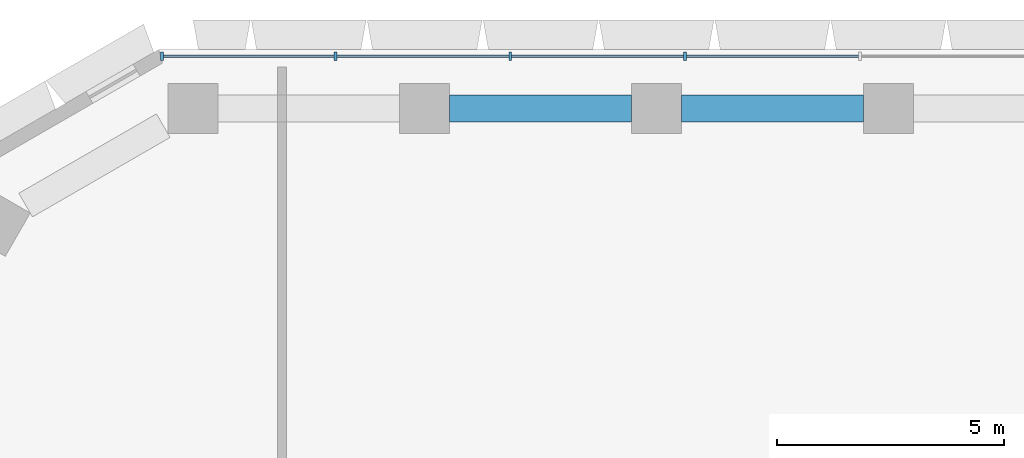
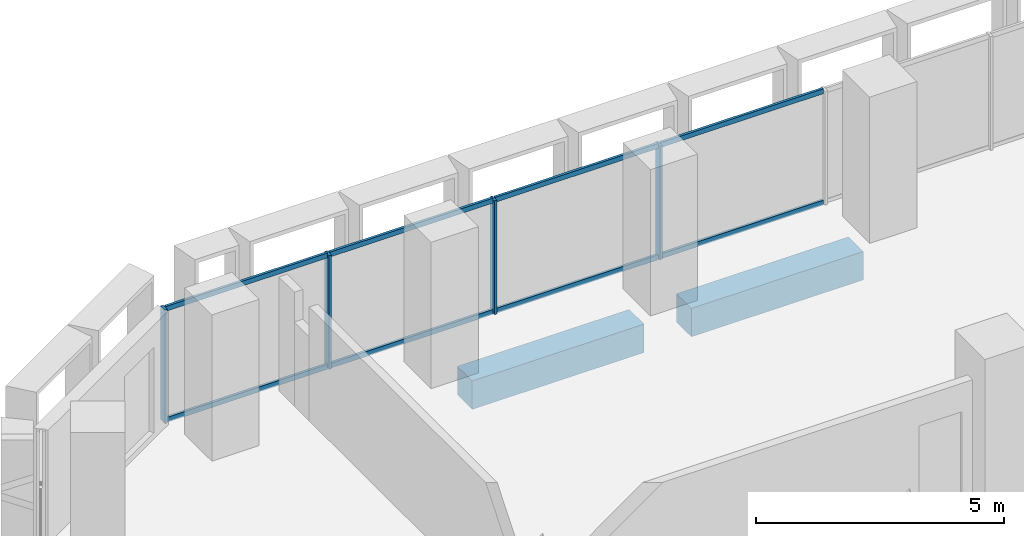
# One storey, part 7 of 21: 12 members, 2 beams, 1 element without a shape of its own.
"""IFC4 building model written with IfcOpenShell, lengths in metres."""

from ifc_helpers import new_model, si_unit, direction, frame, origin, origin_2d, place, context, subcontext, project, spatial, rectangle, hollow_rectangle, extrude, material, material_profile, profile_set, type_object, element, aggregate, save


model = new_model("IFC4")

# Units and contexts
model_context = context("Model", 3, precision=1e-05, world=origin(), true_north=direction((0.0, 1.0)))
body_context = subcontext(model_context, "Body", "Model", "MODEL_VIEW")
ifc_project = project(units=[si_unit("LENGTHUNIT", "METRE"), si_unit("AREAUNIT", "SQUARE_METRE"), si_unit("VOLUMEUNIT", "CUBIC_METRE"), si_unit("PLANEANGLEUNIT", "RADIAN"), si_unit("MASSUNIT", "GRAM", prefix="KILO")], contexts=[model_context])

# Site, building, storey
site_placement = place(None, origin())
site = spatial("IfcSite", under=ifc_project, at=site_placement, CompositionType="ELEMENT")
building_placement = place(site_placement, origin())
building = spatial("IfcBuilding", under=site, at=building_placement, Name="Beryl Residences", CompositionType="ELEMENT")
storey_placement = place(building_placement, frame((0.0, 0.0, 19.800048828125)))
storey = spatial("IfcBuildingStorey", under=building, at=storey_placement, Name="L05", CompositionType="ELEMENT", Elevation=19.800048828125)

# Curtain wall, members
ifc_material_1 = material(Name="Aluminium and clear glass", Category="aluminium")
curtain_wall_type = type_object("IfcCurtainWallType", Name="CW2 amenity glazing glazed wall", PredefinedType="NOTDEFINED", material=ifc_material_1)
curtain_wall_placement = place(storey_placement, origin())
curtain_wall = element("IfcCurtainWall", 1, at=curtain_wall_placement, inside=storey, type_object=curtain_wall_type, Name="CW2 L05 N", PredefinedType="NOTDEFINED")
ifc_material_2 = material(Name="Aluminium", Category="aluminium")
ifc_material_profile_1 = material_profile(ifc_material_2, rectangle(XDim=0.06005859375, YDim=0.179931640625, at=origin_2d()))
ifc_profile_set_1 = profile_set([ifc_material_profile_1], Name="Aluminium")
member_type_1 = type_object("IfcMemberType", Name="CW2-M mullion 60 x 180 mm", PredefinedType="MULLION", material=ifc_profile_set_1)
member_1_placement = place(storey_placement, frame((-1.92431640625, 28.25, 0.0), z_axis=(0.0, 0.0, 1.0), x_axis=(-1.0, 0.0, 0.0)))
member_1 = element("IfcMember", 2, at=member_1_placement, type_object=member_type_1, Name="CW2 mullion 5", PredefinedType="MULLION", context=body_context, shape_type="SweptSolid", body=[
    extrude(rectangle(XDim=0.06005859375, YDim=0.179931640625, at=origin_2d()), origin(), (0.0, 0.0, 1.0), 2.800048828125),
])
member_2_placement = place(storey_placement, frame((-5.77294921875, 28.25, 0.0), z_axis=(0.0, 0.0, 1.0), x_axis=(-1.0, 0.0, 0.0)))
member_2 = element("IfcMember", 3, at=member_2_placement, type_object=member_type_1, Name="CW2 mullion 6", PredefinedType="MULLION", context=body_context, shape_type="SweptSolid", body=[
    extrude(rectangle(XDim=0.06005859375, YDim=0.179931640625, at=origin_2d()), origin(), (0.0, 0.0, 1.0), 2.800048828125),
])
member_3_placement = place(storey_placement, frame((-9.621337890625, 28.25, 0.0), z_axis=(0.0, 0.0, 1.0), x_axis=(-1.0, 0.0, 0.0)))
member_3 = element("IfcMember", 4, at=member_3_placement, type_object=member_type_1, Name="CW2 mullion 7", PredefinedType="MULLION", context=body_context, shape_type="SweptSolid", body=[
    extrude(rectangle(XDim=0.06005859375, YDim=0.179931640625, at=origin_2d()), origin(), (0.0, 0.0, 1.0), 2.800048828125),
])
member_4_placement = place(storey_placement, frame((-13.43994140625, 28.25, 0.0), z_axis=(0.0, 0.0, 1.0), x_axis=(-1.0, 0.0, 0.0)))
member_4 = element("IfcMember", 5, at=member_4_placement, type_object=member_type_1, Name="CW2 mullion 8", PredefinedType="MULLION", context=body_context, shape_type="SweptSolid", body=[
    extrude(rectangle(XDim=0.06005859375, YDim=0.179931640625, at=origin_2d()), origin(), (0.0, 0.0, 1.0), 2.800048828125),
])
ifc_material_3 = material(Name="Aluminium", Category="aluminium")
ifc_material_profile_2 = material_profile(ifc_material_3, hollow_rectangle(XDim=0.06005859375, YDim=0.1201171875, WallThickness=0.00390625, at=origin_2d()))
ifc_profile_set_2 = profile_set([ifc_material_profile_2], Name="Aluminium")
member_type_2 = type_object("IfcMemberType", Name="CW2-T transom 60 x 120 mm", PredefinedType="USERDEFINED", material=ifc_profile_set_2)
member_5_placement = place(storey_placement, frame((1.894287109375, 28.25, 0.030029296875), z_axis=(-1.0, 0.0, 0.0), x_axis=(0.0, -1.0, 0.0)))
member_5 = element("IfcMember", 6, at=member_5_placement, type_object=member_type_2, Name="CW2 transom 4.1", ObjectType="TRANSOM", PredefinedType="USERDEFINED", context=body_context, shape_type="SweptSolid", body=[
    extrude(hollow_rectangle(XDim=0.06005859375, YDim=0.1201171875, WallThickness=0.00390625, at=origin_2d()), origin(), (0.0, 0.0, 1.0), 3.78857421875),
])
member_6_placement = place(storey_placement, frame((1.894287109375, 28.25, 2.77001953125), z_axis=(-1.0, 0.0, 0.0), x_axis=(0.0, -1.0, 0.0)))
member_6 = element("IfcMember", 7, at=member_6_placement, type_object=member_type_2, Name="CW2 transom 4.2", ObjectType="TRANSOM", PredefinedType="USERDEFINED", context=body_context, shape_type="SweptSolid", body=[
    extrude(hollow_rectangle(XDim=0.06005859375, YDim=0.1201171875, WallThickness=0.00390625, at=origin_2d()), origin(), (0.0, 0.0, 1.0), 3.78857421875),
])
member_7_placement = place(storey_placement, frame((-1.954345703125, 28.25, 0.030029296875), z_axis=(-1.0, 0.0, 0.0), x_axis=(0.0, -1.0, 0.0)))
member_7 = element("IfcMember", 8, at=member_7_placement, type_object=member_type_2, Name="CW2 transom 5.1", ObjectType="TRANSOM", PredefinedType="USERDEFINED", context=body_context, shape_type="SweptSolid", body=[
    extrude(hollow_rectangle(XDim=0.06005859375, YDim=0.1201171875, WallThickness=0.00390625, at=origin_2d()), origin(), (0.0, 0.0, 1.0), 3.78857421875),
])
member_8_placement = place(storey_placement, frame((-1.954345703125, 28.25, 2.77001953125), z_axis=(-1.0, 0.0, 0.0), x_axis=(0.0, -1.0, 0.0)))
member_8 = element("IfcMember", 9, at=member_8_placement, type_object=member_type_2, Name="CW2 transom 5.2", ObjectType="TRANSOM", PredefinedType="USERDEFINED", context=body_context, shape_type="SweptSolid", body=[
    extrude(hollow_rectangle(XDim=0.06005859375, YDim=0.1201171875, WallThickness=0.00390625, at=origin_2d()), origin(), (0.0, 0.0, 1.0), 3.78857421875),
])
member_9_placement = place(storey_placement, frame((-5.802978515625, 28.25, 0.030029296875), z_axis=(-1.0, 0.0, 0.0), x_axis=(0.0, -1.0, 0.0)))
member_9 = element("IfcMember", 10, at=member_9_placement, type_object=member_type_2, Name="CW2 transom 6.1", ObjectType="TRANSOM", PredefinedType="USERDEFINED", context=body_context, shape_type="SweptSolid", body=[
    extrude(hollow_rectangle(XDim=0.06005859375, YDim=0.1201171875, WallThickness=0.00390625, at=origin_2d()), origin(), (0.0, 0.0, 1.0), 3.788330078125),
])
member_10_placement = place(storey_placement, frame((-5.802978515625, 28.25, 2.77001953125), z_axis=(-1.0, 0.0, 0.0), x_axis=(0.0, -1.0, 0.0)))
member_10 = element("IfcMember", 11, at=member_10_placement, type_object=member_type_2, Name="CW2 transom 6.2", ObjectType="TRANSOM", PredefinedType="USERDEFINED", context=body_context, shape_type="SweptSolid", body=[
    extrude(hollow_rectangle(XDim=0.06005859375, YDim=0.1201171875, WallThickness=0.00390625, at=origin_2d()), origin(), (0.0, 0.0, 1.0), 3.788330078125),
])
member_11_placement = place(storey_placement, frame((-9.6513671875, 28.25, 0.030029296875), z_axis=(-1.0, 0.0, 0.0), x_axis=(0.0, -1.0, 0.0)))
member_11 = element("IfcMember", 12, at=member_11_placement, type_object=member_type_2, Name="CW2 transom 7.1", ObjectType="TRANSOM", PredefinedType="USERDEFINED", context=body_context, shape_type="SweptSolid", body=[
    extrude(hollow_rectangle(XDim=0.06005859375, YDim=0.1201171875, WallThickness=0.00390625, at=origin_2d()), origin(), (0.0, 0.0, 1.0), 3.758544921875),
])
member_12_placement = place(storey_placement, frame((-9.6513671875, 28.25, 2.77001953125), z_axis=(-1.0, 0.0, 0.0), x_axis=(0.0, -1.0, 0.0)))
member_12 = element("IfcMember", 13, at=member_12_placement, type_object=member_type_2, Name="CW2 transom 7.2", ObjectType="TRANSOM", PredefinedType="USERDEFINED", context=body_context, shape_type="SweptSolid", body=[
    extrude(hollow_rectangle(XDim=0.06005859375, YDim=0.1201171875, WallThickness=0.00390625, at=origin_2d()), origin(), (0.0, 0.0, 1.0), 3.758544921875),
])
aggregate(curtain_wall, [member_1, member_2, member_3, member_4, member_5, member_6, member_7, member_8, member_9, member_10, member_11, member_12])

# Beams
ifc_material_4 = material(Name="Concrete C80/95", Category="concrete")
ifc_material_profile_3 = material_profile(ifc_material_4, rectangle(XDim=0.60009765625, YDim=0.699951171875, at=origin_2d()))
ifc_profile_set_3 = profile_set([ifc_material_profile_3], Name="Concrete C80/95")
beam_type = type_object("IfcBeamType", Name="SB1 spandrel beam 600 x 700 C80/95", PredefinedType="SPANDREL", material=ifc_profile_set_3)
for number, where, z_axis, x_axis, name in (
    (14, (2.0009765625, 27.10009765625, -0.699951171875), (-1.0, 0.0, 0.0), (0.0, -1.0, 0.0), "SB1 L05 N-2"),
    (15, (-3.10302734375, 27.10009765625, -0.699951171875), (-1.0, 0.0, 0.0), (0.0, -1.0, 0.0), "SB1 L05 N-3"),
):
    element("IfcBeam", number, at=place(storey_placement, frame(where, z_axis=z_axis, x_axis=x_axis)), inside=storey, type_object=beam_type, Name=name, PredefinedType="SPANDREL", context=body_context, shape_type="SweptSolid", body=[
        extrude(rectangle(XDim=0.60009765625, YDim=0.699951171875, at=origin_2d()), origin(), (0.0, 0.0, 1.0), 4.00390625),
    ])

save(model, "model.ifc")
